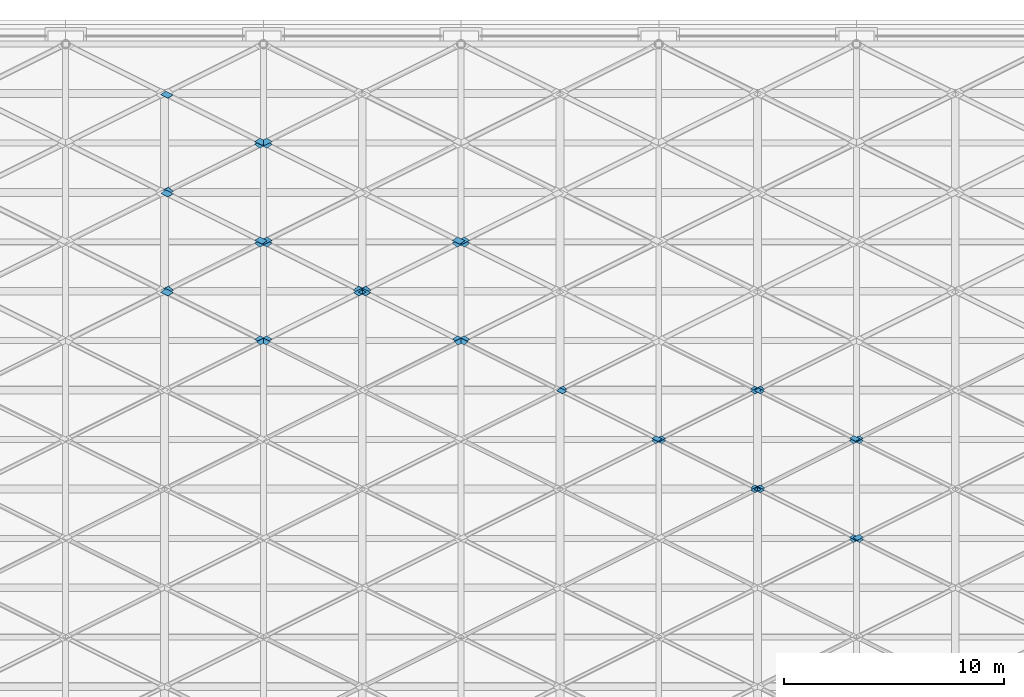
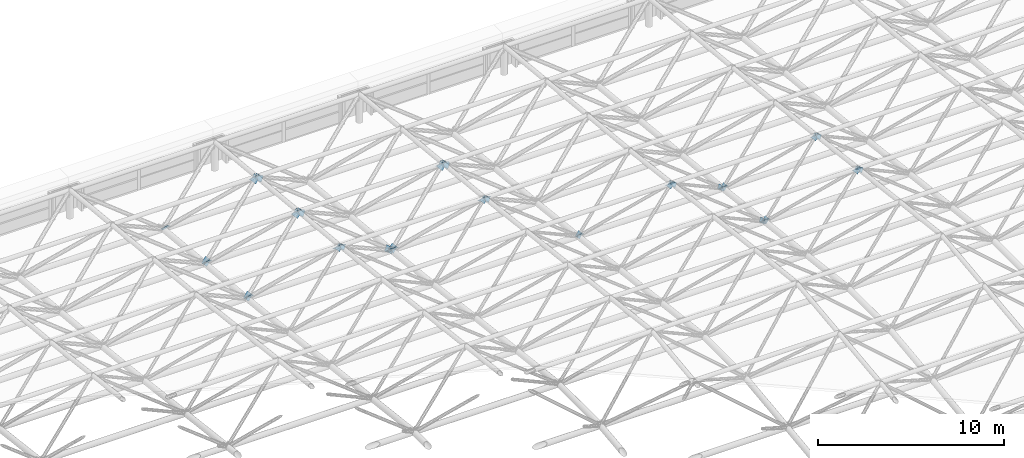
# One storey, part 41 of 53: 51 discrete accessories.
"""IFC4 building model written with IfcOpenShell, lengths in metres."""

from ifc_helpers import new_model, si_unit, direction, frame, origin, place, context, subcontext, project, spatial, polyline, outline, extrude, material, layer, layer_set, type_object, element, save


model = new_model("IFC4")

# Units and contexts
model_context = context("Model", 3, precision=1e-05, world=origin(), true_north=direction((0.0, 1.0)))
body_context = subcontext(model_context, "Body", "Model", "MODEL_VIEW")
ifc_project = project(units=[si_unit("LENGTHUNIT", "METRE"), si_unit("AREAUNIT", "SQUARE_METRE"), si_unit("VOLUMEUNIT", "CUBIC_METRE"), si_unit("PLANEANGLEUNIT", "RADIAN"), si_unit("MASSUNIT", "GRAM", prefix="KILO")], contexts=[model_context])

# Site, building, storey
site_placement = place(None, origin())
site = spatial("IfcSite", under=ifc_project, at=site_placement, CompositionType="ELEMENT")
building_placement = place(site_placement, origin())
building = spatial("IfcBuilding", under=site, at=building_placement, Name="Aravalli Gate Trade Fair Centre", CompositionType="ELEMENT")
storey_placement = place(building_placement, frame((0.0, 0.0, 25.199951171875)))
storey = spatial("IfcBuildingStorey", under=building, at=storey_placement, Name="ROOF LEVEL 2", CompositionType="ELEMENT", Elevation=25.199951171875)

# Discrete accessories
ifc_material = material(Name="Steel E350", Category="steel")
ifc_layer_1 = layer(ifc_material, 0.011962890625)
ifc_layer_set_1 = layer_set([ifc_layer_1], Name="Steel E350")
discrete_accessory_type_1 = type_object("IfcDiscreteAccessoryType", Name="Gusset plate 291 x 291 x 12", PredefinedType="USERDEFINED", material=ifc_layer_set_1)
discrete_accessory_1_placement = place(storey_placement, frame((69.138671875, 86.30859375, 4.027099609375), z_axis=(0.000259688153, -0.77158167438, 0.636130216483), x_axis=(-0.786189750281, 0.392961505637, 0.476955901148)))
element("IfcDiscreteAccessory", 1, at=discrete_accessory_1_placement, inside=storey, type_object=discrete_accessory_type_1, Name="Gusset plate Space frame web diagonal D4C end A", ObjectType="GUSSET PLATE", PredefinedType="USERDEFINED", context=body_context, shape_type="SweptSolid", body=[
    extrude(outline(polyline([(0.0, 0.0), (0.37047009323158403, 1.3877787807814457e-17), (0.3706453255393415, -0.29059138113822636), (7.929444017017173e-05, -0.29046925152010133), (0.0, 0.0)])), origin(), (0.0, 0.0, -1.0), 0.011962890625),
])
discrete_accessory_2_placement = place(storey_placement, frame((68.681884765625, 86.453857421875, 4.203369140625), z_axis=(-0.000259688153, -0.77158167438, 0.636130216483), x_axis=(0.785986034617, 0.393126352276, 0.477155765483)))
element("IfcDiscreteAccessory", 2, at=discrete_accessory_2_placement, inside=storey, type_object=discrete_accessory_type_1, Name="Gusset plate Space frame web diagonal D4D end A", ObjectType="GUSSET PLATE", PredefinedType="USERDEFINED", context=body_context, shape_type="SweptSolid", body=[
    extrude(outline(polyline([(0.0, 0.0), (0.3705660512246577, -1.3877787807814457e-17), (0.3702950470274762, -0.2905913076038385), (-0.0001750260838329909, -0.2904692096111498), (0.0, 0.0)])), origin(), (0.0, 0.0, -1.0), 0.011962890625),
])
discrete_accessory_3_placement = place(storey_placement, frame((64.18603515625, 88.707763671875, 1.047119140625), z_axis=(-0.000356491483, 0.824386555112, 0.566027102411), x_axis=(0.749660046124, 0.374830119882, -0.545446786108)))
element("IfcDiscreteAccessory", 3, at=discrete_accessory_3_placement, inside=storey, type_object=discrete_accessory_type_1, Name="Gusset plate Space frame web diagonal D5A end B", ObjectType="GUSSET PLATE", PredefinedType="USERDEFINED", context=body_context, shape_type="SweptSolid", body=[
    extrude(outline(polyline([(0.0, 0.0), (0.37061069570280314, 0.0), (0.3704262257769532, -0.2905262593825685), (-1.4474536517566916e-06, -0.29068783726431885), (0.0, 0.0)])), origin(), (0.0, 0.0, -1.0), 0.011962890625),
])
discrete_accessory_4_placement = place(storey_placement, frame((69.12158203125, 86.675537109375, 4.005126953125), z_axis=(-5.9235462e-05, 0.824355565608, 0.566072343383), x_axis=(-0.74937131646, -0.374861397834, 0.545821914622)))
element("IfcDiscreteAccessory", 4, at=discrete_accessory_4_placement, inside=storey, type_object=discrete_accessory_type_1, Name="Gusset plate Space frame web diagonal D5A end A", ObjectType="GUSSET PLATE", PredefinedType="USERDEFINED", context=body_context, shape_type="SweptSolid", body=[
    extrude(outline(polyline([(0.0, 0.0), (0.3704277020236978, 0.0), (0.37073891027907924, 0.290526143046557), (-5.001029550574798e-06, 0.29053697785674903), (0.0, 0.0)])), origin(), (0.0, 0.0, -1.0), 0.011962890625),
])
discrete_accessory_5_placement = place(storey_placement, frame((60.12158203125, 91.175537109375, 3.455078125), z_axis=(-5.9235462e-05, 0.824355565608, 0.566072343383), x_axis=(-0.74910175115, -0.37503400761, 0.546073309694)))
element("IfcDiscreteAccessory", 5, at=discrete_accessory_5_placement, inside=storey, type_object=discrete_accessory_type_1, Name="Gusset plate Space frame web diagonal D5A end A", ObjectType="GUSSET PLATE", PredefinedType="USERDEFINED", context=body_context, shape_type="SweptSolid", body=[
    extrude(outline(polyline([(0.0, 0.0), (0.37056099002046733, 1.3877787807814457e-17), (0.3708571273038952, 0.29037522366126584), (0.00024656979283793623, 0.29068772448272373), (0.0, 0.0)])), origin(), (0.0, 0.0, -1.0), 0.011962890625),
])
discrete_accessory_6_placement = place(storey_placement, frame((64.18603515625, 93.207763671875, 0.4970703125), z_axis=(-0.000338926475, 0.824215745649, 0.566275807141), x_axis=(0.749929468437, 0.374811008577, -0.545089442403)))
element("IfcDiscreteAccessory", 6, at=discrete_accessory_6_placement, inside=storey, type_object=discrete_accessory_type_1, Name="Gusset plate Space frame web diagonal D5A end B", ObjectType="GUSSET PLATE", PredefinedType="USERDEFINED", context=body_context, shape_type="SweptSolid", body=[
    extrude(outline(polyline([(0.0, 0.0), (0.3704775800363668, -1.3877787807814457e-17), (0.37054452148215117, -0.29037536695413646), (0.00011695121776518491, -0.29068780553250784), (0.0, 0.0)])), origin(), (0.0, 0.0, -1.0), 0.011962890625),
])
discrete_accessory_7_placement = place(storey_placement, frame((69.12158203125, 91.175537109375, 3.455078125), z_axis=(-5.9235462e-05, 0.824355565608, 0.566072343383), x_axis=(-0.74910175115, -0.37503400761, 0.546073309694)))
element("IfcDiscreteAccessory", 7, at=discrete_accessory_7_placement, inside=storey, type_object=discrete_accessory_type_1, Name="Gusset plate Space frame web diagonal D5A end A", ObjectType="GUSSET PLATE", PredefinedType="USERDEFINED", context=body_context, shape_type="SweptSolid", body=[
    extrude(outline(polyline([(0.0, 0.0), (0.37056099002046733, 1.3877787807814457e-17), (0.3708571273038952, 0.29037522366126584), (0.00024656979283793623, 0.29068772448272373), (0.0, 0.0)])), origin(), (0.0, 0.0, -1.0), 0.011962890625),
])
discrete_accessory_8_placement = place(storey_placement, frame((68.68603515625, 86.55224609375, 4.1845703125), z_axis=(5.9235462e-05, 0.824355565608, 0.566072343383), x_axis=(0.749390667151, -0.374849001628, 0.545803860343)))
element("IfcDiscreteAccessory", 8, at=discrete_accessory_8_placement, inside=storey, type_object=discrete_accessory_type_1, Name="Gusset plate Space frame web diagonal D5B end A", ObjectType="GUSSET PLATE", PredefinedType="USERDEFINED", context=body_context, shape_type="SweptSolid", body=[
    extrude(outline(polyline([(0.0, 0.0), (0.37074391146695085, 0.0), (0.3704411936966931, 0.2905261520174016), (1.3491831181253189e-05, 0.2905369775865267), (0.0, 0.0)])), origin(), (0.0, 0.0, -1.0), 0.011962890625),
])
discrete_accessory_9_placement = place(storey_placement, frame((64.62158203125, 88.58447265625, 1.226806640625), z_axis=(0.000356491483, 0.824386555112, 0.566027102411), x_axis=(-0.749371292409, 0.375015088164, -0.54571636384)))
element("IfcDiscreteAccessory", 9, at=discrete_accessory_9_placement, inside=storey, type_object=discrete_accessory_type_1, Name="Gusset plate Space frame web diagonal D5B end B", ObjectType="GUSSET PLATE", PredefinedType="USERDEFINED", context=body_context, shape_type="SweptSolid", body=[
    extrude(outline(polyline([(0.0, 0.0), (0.3704277084701571, -1.3877787807814457e-17), (0.3707389038272042, -0.29052615127976134), (0.00012824338136119273, -0.2906878089792164), (0.0, 0.0)])), origin(), (0.0, 0.0, -1.0), 0.011962890625),
])
discrete_accessory_10_placement = place(storey_placement, frame((59.68603515625, 91.05224609375, 3.634765625), z_axis=(5.9235462e-05, 0.824355565608, 0.566072343383), x_axis=(0.749660070237, -0.374676343996, 0.545552395598)))
element("IfcDiscreteAccessory", 10, at=discrete_accessory_10_placement, inside=storey, type_object=discrete_accessory_type_1, Name="Gusset plate Space frame web diagonal D5B end A", ObjectType="GUSSET PLATE", PredefinedType="USERDEFINED", context=body_context, shape_type="SweptSolid", body=[
    extrude(outline(polyline([(0.0, 0.0), (0.3706106892622231, 1.3877787807814457e-17), (0.3705593979521325, 0.2903753701380719), (-1.4603348369723879e-06, 0.29068782905287593), (0.0, 0.0)])), origin(), (0.0, 0.0, -1.0), 0.011962890625),
])
discrete_accessory_11_placement = place(storey_placement, frame((55.62158203125, 93.08447265625, 0.6767578125), z_axis=(0.000338926475, 0.824215745649, 0.566275807141), x_axis=(-0.74937124219, 0.375168906268, -0.545610697428)))
element("IfcDiscreteAccessory", 11, at=discrete_accessory_11_placement, inside=storey, type_object=discrete_accessory_type_1, Name="Gusset plate Space frame web diagonal D5B end B", ObjectType="GUSSET PLATE", PredefinedType="USERDEFINED", context=body_context, shape_type="SweptSolid", body=[
    extrude(outline(polyline([(0.0, 0.0), (0.3704277020281311, -2.7755575615628914e-17), (0.37060567875441897, -0.29037532012757467), (0.00012823049953920862, -0.29068780077573153), (0.0, 0.0)])), origin(), (0.0, 0.0, -1.0), 0.011962890625),
])
discrete_accessory_12_placement = place(storey_placement, frame((68.68603515625, 91.05224609375, 3.634765625), z_axis=(5.9235462e-05, 0.824355565608, 0.566072343383), x_axis=(0.749660070237, -0.374676343996, 0.545552395598)))
element("IfcDiscreteAccessory", 12, at=discrete_accessory_12_placement, inside=storey, type_object=discrete_accessory_type_1, Name="Gusset plate Space frame web diagonal D5B end A", ObjectType="GUSSET PLATE", PredefinedType="USERDEFINED", context=body_context, shape_type="SweptSolid", body=[
    extrude(outline(polyline([(0.0, 0.0), (0.3706106892622231, 1.3877787807814457e-17), (0.3705593979521325, 0.2903753701380719), (-1.4603348369723879e-06, 0.29068782905287593), (0.0, 0.0)])), origin(), (0.0, 0.0, -1.0), 0.011962890625),
])
discrete_accessory_13_placement = place(storey_placement, frame((64.62158203125, 93.08447265625, 0.6767578125), z_axis=(0.000338926475, 0.824215745649, 0.566275807141), x_axis=(-0.74937124219, 0.375168906268, -0.545610697428)))
element("IfcDiscreteAccessory", 13, at=discrete_accessory_13_placement, inside=storey, type_object=discrete_accessory_type_1, Name="Gusset plate Space frame web diagonal D5B end B", ObjectType="GUSSET PLATE", PredefinedType="USERDEFINED", context=body_context, shape_type="SweptSolid", body=[
    extrude(outline(polyline([(0.0, 0.0), (0.3704277020281311, -2.7755575615628914e-17), (0.37060567875441897, -0.29037532012757467), (0.00012823049953920862, -0.29068780077573153), (0.0, 0.0)])), origin(), (0.0, 0.0, -1.0), 0.011962890625),
])
discrete_accessory_14_placement = place(storey_placement, frame((60.138916015625, 90.808349609375, 3.477294921875), z_axis=(-6.9765199e-05, -0.771154883137, 0.636647580178), x_axis=(-0.786484474244, 0.393242254842, 0.476238071536)))
element("IfcDiscreteAccessory", 14, at=discrete_accessory_14_placement, inside=storey, type_object=discrete_accessory_type_1, Name="Gusset plate Space frame web diagonal D5C end A", ObjectType="GUSSET PLATE", PredefinedType="USERDEFINED", context=body_context, shape_type="SweptSolid", body=[
    extrude(outline(polyline([(0.0, 0.0), (0.37064165383501635, 1.3877787807814457e-17), (0.3706783195979393, -0.29059144692340316), (0.00022867857401766278, -0.2904406632211646), (0.0, 0.0)])), origin(), (0.0, 0.0, -1.0), 0.011962890625),
])
discrete_accessory_15_placement = place(storey_placement, frame((64.181884765625, 88.786865234375, 1.029052734375), z_axis=(-6.9765199e-05, -0.771154883137, 0.636647580178), x_axis=(0.786233023991, -0.393446013556, -0.476484906794)))
element("IfcDiscreteAccessory", 15, at=discrete_accessory_15_placement, inside=storey, type_object=discrete_accessory_type_1, Name="Gusset plate Space frame web diagonal D5C end B", ObjectType="GUSSET PLATE", PredefinedType="USERDEFINED", context=body_context, shape_type="SweptSolid", body=[
    extrude(outline(polyline([(0.0, 0.0), (0.37044967171058096, 2.7755575615628914e-17), (0.3702947268495056, 0.290591407927876), (-0.0003468962829482891, 0.29044054608337494), (0.0, 0.0)])), origin(), (0.0, 0.0, -1.0), 0.011962890625),
])
for number, where, z_axis, x_axis, name in (
    (16, (69.138916015625, 90.808349609375, 3.477294921875), (-6.9765199e-05, -0.771154883137, 0.636647580178), (-0.786484474244, 0.393242254842, 0.476238071536), "Gusset plate Space frame web diagonal D5C end A"),
    (17, (42.138916015625, 95.308349609375, 2.92724609375), (-6.9765199e-05, -0.771154883137, 0.636647580178), (-0.786484474244, 0.393242254842, 0.476238071536), "Gusset plate Space frame web diagonal D5C end A"),
    (18, (51.138916015625, 95.308349609375, 2.92724609375), (-6.9765199e-05, -0.771154883137, 0.636647580178), (-0.786484474244, 0.393242254842, 0.476238071536), "Gusset plate Space frame web diagonal D5C end A"),
):
    element("IfcDiscreteAccessory", number, at=place(storey_placement, frame(where, z_axis=z_axis, x_axis=x_axis)), inside=storey, type_object=discrete_accessory_type_1, Name=name, ObjectType="GUSSET PLATE", PredefinedType="USERDEFINED", context=body_context, shape_type="SweptSolid", body=[
        extrude(outline(polyline([(0.0, 0.0), (0.37064165383501635, 1.3877787807814457e-17), (0.3706783195979393, -0.29059144692340316), (0.00022867857401766278, -0.2904406632211646), (0.0, 0.0)])), origin(), (0.0, 0.0, -1.0), 0.011962890625),
    ])
discrete_accessory_16_placement = place(storey_placement, frame((64.181884765625, 93.286865234375, 0.479248046875), z_axis=(0.000260921892, -0.770886805608, 0.636972106814), x_axis=(0.786233024012, -0.393446097564, -0.476484837392)))
element("IfcDiscreteAccessory", 19, at=discrete_accessory_16_placement, inside=storey, type_object=discrete_accessory_type_1, Name="Gusset plate Space frame web diagonal D5C end B", ObjectType="GUSSET PLATE", PredefinedType="USERDEFINED", context=body_context, shape_type="SweptSolid", body=[
    extrude(outline(polyline([(0.0, 0.0), (0.3704496717105797, 1.3877787807814457e-17), (0.37041105616888137, 0.29044341854454775), (-0.00023056696357631745, 0.2902925567125407), (0.0, 0.0)])), origin(), (0.0, 0.0, -1.0), 0.011962890625),
])
for number, where, z_axis, x_axis, name in (
    (20, (59.681884765625, 90.953857421875, 3.653564453125), (6.9765199e-05, -0.771154883137, 0.636647580178), (0.786233023991, 0.393446013556, 0.476484906794), "Gusset plate Space frame web diagonal D5D end A"),
    (21, (68.681884765625, 90.953857421875, 3.653564453125), (6.9765199e-05, -0.771154883137, 0.636647580178), (0.786233023991, 0.393446013556, 0.476484906794), "Gusset plate Space frame web diagonal D5D end A"),
):
    element("IfcDiscreteAccessory", number, at=place(storey_placement, frame(where, z_axis=z_axis, x_axis=x_axis)), inside=storey, type_object=discrete_accessory_type_1, Name=name, ObjectType="GUSSET PLATE", PredefinedType="USERDEFINED", context=body_context, shape_type="SweptSolid", body=[
        extrude(outline(polyline([(0.0, 0.0), (0.37044967171058096, -2.7755575615628914e-17), (0.3702947268495056, -0.290591407927876), (-0.0003468962829482891, -0.29044054608337494), (0.0, 0.0)])), origin(), (0.0, 0.0, -1.0), 0.011962890625),
    ])
discrete_accessory_17_placement = place(storey_placement, frame((64.638916015625, 88.932373046875, 1.205322265625), z_axis=(6.9765199e-05, -0.771154883137, 0.636647580178), x_axis=(-0.786484474244, -0.393242254842, -0.476238071536)))
element("IfcDiscreteAccessory", 22, at=discrete_accessory_17_placement, inside=storey, type_object=discrete_accessory_type_1, Name="Gusset plate Space frame web diagonal D5D end B", ObjectType="GUSSET PLATE", PredefinedType="USERDEFINED", context=body_context, shape_type="SweptSolid", body=[
    extrude(outline(polyline([(0.0, 0.0), (0.37064165383501635, -1.3877787807814457e-17), (0.3706783195979393, 0.29059144692340316), (0.00022867857401766278, 0.2904406632211646), (0.0, 0.0)])), origin(), (0.0, 0.0, -1.0), 0.011962890625),
])
for number, where, z_axis, x_axis, name in (
    (23, (41.681884765625, 95.453857421875, 3.103515625), (6.9765199e-05, -0.771154883137, 0.636647580178), (0.786233023991, 0.393446013556, 0.476484906794), "Gusset plate Space frame web diagonal D5D end A"),
    (24, (50.681884765625, 95.453857421875, 3.103515625), (6.9765199e-05, -0.771154883137, 0.636647580178), (0.786233023991, 0.393446013556, 0.476484906794), "Gusset plate Space frame web diagonal D5D end A"),
):
    element("IfcDiscreteAccessory", number, at=place(storey_placement, frame(where, z_axis=z_axis, x_axis=x_axis)), inside=storey, type_object=discrete_accessory_type_1, Name=name, ObjectType="GUSSET PLATE", PredefinedType="USERDEFINED", context=body_context, shape_type="SweptSolid", body=[
        extrude(outline(polyline([(0.0, 0.0), (0.37044967171058096, -2.7755575615628914e-17), (0.3702947268495056, -0.290591407927876), (-0.0003468962829482891, -0.29044054608337494), (0.0, 0.0)])), origin(), (0.0, 0.0, -1.0), 0.011962890625),
    ])
for number, where, z_axis, x_axis, name in (
    (25, (55.638916015625, 93.432373046875, 0.6552734375), (-0.000260921892, -0.770886805608, 0.636972106814), (-0.786484474223, -0.393242170877, -0.476238140902), "Gusset plate Space frame web diagonal D5D end B"),
    (26, (64.638916015625, 93.432373046875, 0.6552734375), (-0.000260921892, -0.770886805608, 0.636972106814), (-0.786484474223, -0.393242170877, -0.476238140902), "Gusset plate Space frame web diagonal D5D end B"),
):
    element("IfcDiscreteAccessory", number, at=place(storey_placement, frame(where, z_axis=z_axis, x_axis=x_axis)), inside=storey, type_object=discrete_accessory_type_1, Name=name, ObjectType="GUSSET PLATE", PredefinedType="USERDEFINED", context=body_context, shape_type="SweptSolid", body=[
        extrude(outline(polyline([(0.0, 0.0), (0.37064165383501513, -1.3877787807814457e-17), (0.37056205053393565, 0.29044341020294784), (0.00011240951001027788, 0.2902926265131968), (0.0, 0.0)])), origin(), (0.0, 0.0, -1.0), 0.011962890625),
    ])
ifc_layer_2 = layer(ifc_material, 0.011962890625)
ifc_layer_set_2 = layer_set([ifc_layer_2], Name="Steel E350")
discrete_accessory_type_2 = type_object("IfcDiscreteAccessoryType", Name="Gusset plate 367 x 367 x 12", PredefinedType="USERDEFINED", material=ifc_layer_set_2)
discrete_accessory_18_placement = place(storey_placement, frame((42.155517578125, 95.721923828125, 2.84228515625), z_axis=(-5.6748583e-05, 0.820281851296, 0.571959510117), x_axis=(-0.752910033129, -0.376455016564, 0.539822287904)))
element("IfcDiscreteAccessory", 27, at=discrete_accessory_18_placement, inside=storey, type_object=discrete_accessory_type_2, Name="Gusset plate Space frame web diagonal D6A end A", ObjectType="GUSSET PLATE", PredefinedType="USERDEFINED", context=body_context, shape_type="SweptSolid", body=[
    extrude(outline(polyline([(0.0, 0.0), (0.44683397278152426, -2.7755575615628914e-17), (0.44699177701993154, 0.3666937395408909), (0.0001578042384072914, 0.3666937395408909), (0.0, 0.0)])), origin(), (0.0, 0.0, -1.0), 0.011962890625),
])
discrete_accessory_19_placement = place(storey_placement, frame((46.103271484375, 97.69580078125, 0.01318359375), z_axis=(-5.6748583e-05, 0.820281851296, 0.571959510117), x_axis=(0.752910033129, 0.376455016564, -0.539822287904)))
element("IfcDiscreteAccessory", 28, at=discrete_accessory_19_placement, inside=storey, type_object=discrete_accessory_type_2, Name="Gusset plate Space frame web diagonal D6A end B", ObjectType="GUSSET PLATE", PredefinedType="USERDEFINED", context=body_context, shape_type="SweptSolid", body=[
    extrude(outline(polyline([(0.0, 0.0), (0.44683397278152426, -2.7755575615628914e-17), (0.446676168543117, -0.36669373954089096), (-0.0001578042384072914, -0.3666937395408909), (0.0, 0.0)])), origin(), (0.0, 0.0, -1.0), 0.011962890625),
])
discrete_accessory_20_placement = place(storey_placement, frame((51.155517578125, 95.721923828125, 2.84228515625), z_axis=(-5.6748583e-05, 0.820281851296, 0.571959510117), x_axis=(-0.752910033129, -0.376455016564, 0.539822287904)))
element("IfcDiscreteAccessory", 29, at=discrete_accessory_20_placement, inside=storey, type_object=discrete_accessory_type_2, Name="Gusset plate Space frame web diagonal D6A end A", ObjectType="GUSSET PLATE", PredefinedType="USERDEFINED", context=body_context, shape_type="SweptSolid", body=[
    extrude(outline(polyline([(0.0, 0.0), (0.44683397278152426, -2.7755575615628914e-17), (0.44699177701993154, 0.3666937395408909), (0.0001578042384072914, 0.3666937395408909), (0.0, 0.0)])), origin(), (0.0, 0.0, -1.0), 0.011962890625),
])
for number, where, z_axis, x_axis, name in (
    (30, (42.155517578125, 100.221923828125, 2.392333984375), (-4.9126691e-05, 0.820140995503, 0.572161467667), (-0.752910034648, -0.376583216139, 0.539732860821), "Gusset plate Space frame web diagonal D6A end A"),
    (31, (51.155517578125, 100.221923828125, 2.392333984375), (-4.9126691e-05, 0.820140995503, 0.572161467667), (-0.752910034648, -0.376583216139, 0.539732860821), "Gusset plate Space frame web diagonal D6A end A"),
):
    element("IfcDiscreteAccessory", number, at=place(storey_placement, frame(where, z_axis=z_axis, x_axis=x_axis)), inside=storey, type_object=discrete_accessory_type_2, Name=name, ObjectType="GUSSET PLATE", PredefinedType="USERDEFINED", context=body_context, shape_type="SweptSolid", body=[
        extrude(outline(polyline([(0.0, 0.0), (0.4468339673229258, 0.0), (0.4468599899280901, 0.36654297340046177), (0.00015779332313807515, 0.366693732894023), (0.0, 0.0)])), origin(), (0.0, 0.0, -1.0), 0.011962890625),
    ])
discrete_accessory_21_placement = place(storey_placement, frame((42.155517578125, 104.721923828125, 1.9423828125), z_axis=(-0.000292195819, 0.820164189793, 0.572128146837), x_axis=(-0.753132087854, -0.376566043927, 0.539434956975)))
element("IfcDiscreteAccessory", 32, at=discrete_accessory_21_placement, inside=storey, type_object=discrete_accessory_type_2, Name="Gusset plate Space frame web diagonal D6A end A", ObjectType="GUSSET PLATE", PredefinedType="USERDEFINED", context=body_context, shape_type="SweptSolid", body=[
    extrude(outline(polyline([(0.0, 0.0), (0.4467022275054028, 2.7755575615628914e-17), (0.4467362528213333, 0.36669377191730207), (3.402531593046931e-05, 0.366693771917302), (0.0, 0.0)])), origin(), (0.0, 0.0, -1.0), 0.011962890625),
])
discrete_accessory_22_placement = place(storey_placement, frame((41.603271484375, 95.56396484375, 3.06884765625), z_axis=(5.6748583e-05, 0.820281851296, 0.571959510117), x_axis=(0.752910033129, -0.376455016564, 0.539822287904)))
element("IfcDiscreteAccessory", 33, at=discrete_accessory_22_placement, inside=storey, type_object=discrete_accessory_type_2, Name="Gusset plate Space frame web diagonal D6B end A", ObjectType="GUSSET PLATE", PredefinedType="USERDEFINED", context=body_context, shape_type="SweptSolid", body=[
    extrude(outline(polyline([(0.0, 0.0), (0.44683397278152426, 2.7755575615628914e-17), (0.446676168543117, 0.36669373954089096), (-0.0001578042384072914, 0.3666937395408909), (0.0, 0.0)])), origin(), (0.0, 0.0, -1.0), 0.011962890625),
])
discrete_accessory_23_placement = place(storey_placement, frame((37.655517578125, 97.537841796875, 0.23974609375), z_axis=(5.6748583e-05, 0.820281851296, 0.571959510117), x_axis=(-0.752910033129, 0.376455016564, -0.539822287904)))
element("IfcDiscreteAccessory", 34, at=discrete_accessory_23_placement, inside=storey, type_object=discrete_accessory_type_2, Name="Gusset plate Space frame web diagonal D6B end B", ObjectType="GUSSET PLATE", PredefinedType="USERDEFINED", context=body_context, shape_type="SweptSolid", body=[
    extrude(outline(polyline([(0.0, 0.0), (0.44683397278152426, 2.7755575615628914e-17), (0.44699177701993154, -0.3666937395408909), (0.0001578042384072914, -0.3666937395408909), (0.0, 0.0)])), origin(), (0.0, 0.0, -1.0), 0.011962890625),
])
discrete_accessory_24_placement = place(storey_placement, frame((50.603271484375, 95.56396484375, 3.06884765625), z_axis=(5.6748583e-05, 0.820281851296, 0.571959510117), x_axis=(0.752910033129, -0.376455016564, 0.539822287904)))
element("IfcDiscreteAccessory", 35, at=discrete_accessory_24_placement, inside=storey, type_object=discrete_accessory_type_2, Name="Gusset plate Space frame web diagonal D6B end A", ObjectType="GUSSET PLATE", PredefinedType="USERDEFINED", context=body_context, shape_type="SweptSolid", body=[
    extrude(outline(polyline([(0.0, 0.0), (0.44683397278152426, 2.7755575615628914e-17), (0.446676168543117, 0.36669373954089096), (-0.0001578042384072914, 0.3666937395408909), (0.0, 0.0)])), origin(), (0.0, 0.0, -1.0), 0.011962890625),
])
discrete_accessory_25_placement = place(storey_placement, frame((46.655517578125, 97.537841796875, 0.23974609375), z_axis=(5.6748583e-05, 0.820281851296, 0.571959510117), x_axis=(-0.752910033129, 0.376455016564, -0.539822287904)))
element("IfcDiscreteAccessory", 36, at=discrete_accessory_25_placement, inside=storey, type_object=discrete_accessory_type_2, Name="Gusset plate Space frame web diagonal D6B end B", ObjectType="GUSSET PLATE", PredefinedType="USERDEFINED", context=body_context, shape_type="SweptSolid", body=[
    extrude(outline(polyline([(0.0, 0.0), (0.44683397278152426, 2.7755575615628914e-17), (0.44699177701993154, -0.3666937395408909), (0.0001578042384072914, -0.3666937395408909), (0.0, 0.0)])), origin(), (0.0, 0.0, -1.0), 0.011962890625),
])
discrete_accessory_26_placement = place(storey_placement, frame((41.603271484375, 100.06396484375, 2.618896484375), z_axis=(4.9126691e-05, 0.820140995503, 0.572161467667), x_axis=(0.753132104741, -0.376437815746, 0.539524423623)))
element("IfcDiscreteAccessory", 37, at=discrete_accessory_26_placement, inside=storey, type_object=discrete_accessory_type_2, Name="Gusset plate Space frame web diagonal D6B end A", ObjectType="GUSSET PLATE", PredefinedType="USERDEFINED", context=body_context, shape_type="SweptSolid", body=[
    extrude(outline(polyline([(0.0, 0.0), (0.4467022220451944, 0.0), (0.44679990563841726, 0.3665429613078707), (-3.4036236763179684e-05, 0.3666937652647241), (0.0, 0.0)])), origin(), (0.0, 0.0, -1.0), 0.011962890625),
])
discrete_accessory_27_placement = place(storey_placement, frame((37.655517578125, 102.037841796875, -0.21044921875), z_axis=(4.9126691e-05, 0.820140995503, 0.572161467667), x_axis=(-0.753132104741, 0.376437815746, -0.539524423623)))
element("IfcDiscreteAccessory", 38, at=discrete_accessory_27_placement, inside=storey, type_object=discrete_accessory_type_2, Name="Gusset plate Space frame web diagonal D6B end B", ObjectType="GUSSET PLATE", PredefinedType="USERDEFINED", context=body_context, shape_type="SweptSolid", body=[
    extrude(outline(polyline([(0.0, 0.0), (0.4467022220451944, 0.0), (0.44673625828195757, -0.3666937652647241), (-9.768359322287479e-05, -0.3665429613078708), (0.0, 0.0)])), origin(), (0.0, 0.0, -1.0), 0.011962890625),
])
discrete_accessory_28_placement = place(storey_placement, frame((50.603271484375, 100.06396484375, 2.618896484375), z_axis=(4.9126691e-05, 0.820140995503, 0.572161467667), x_axis=(0.753132104741, -0.376437815746, 0.539524423623)))
element("IfcDiscreteAccessory", 39, at=discrete_accessory_28_placement, inside=storey, type_object=discrete_accessory_type_2, Name="Gusset plate Space frame web diagonal D6B end A", ObjectType="GUSSET PLATE", PredefinedType="USERDEFINED", context=body_context, shape_type="SweptSolid", body=[
    extrude(outline(polyline([(0.0, 0.0), (0.4467022220451944, 0.0), (0.44679990563841726, 0.3665429613078707), (-3.4036236763179684e-05, 0.3666937652647241), (0.0, 0.0)])), origin(), (0.0, 0.0, -1.0), 0.011962890625),
])
discrete_accessory_29_placement = place(storey_placement, frame((41.603271484375, 104.56396484375, 2.1689453125), z_axis=(0.000292195819, 0.820164189793, 0.572128146837), x_axis=(0.753132087854, -0.376566043927, 0.539434956975)))
element("IfcDiscreteAccessory", 40, at=discrete_accessory_29_placement, inside=storey, type_object=discrete_accessory_type_2, Name="Gusset plate Space frame web diagonal D6B end A", ObjectType="GUSSET PLATE", PredefinedType="USERDEFINED", context=body_context, shape_type="SweptSolid", body=[
    extrude(outline(polyline([(0.0, 0.0), (0.4467022275054028, -2.7755575615628914e-17), (0.4466682021894723, 0.366693771917302), (-3.402531593046931e-05, 0.366693771917302), (0.0, 0.0)])), origin(), (0.0, 0.0, -1.0), 0.011962890625),
])
discrete_accessory_30_placement = place(storey_placement, frame((37.655517578125, 106.537841796875, -0.660400390625), z_axis=(0.000292195819, 0.820164189793, 0.572128146837), x_axis=(-0.753132087854, 0.376566043927, -0.539434956975)))
element("IfcDiscreteAccessory", 41, at=discrete_accessory_30_placement, inside=storey, type_object=discrete_accessory_type_2, Name="Gusset plate Space frame web diagonal D6B end B", ObjectType="GUSSET PLATE", PredefinedType="USERDEFINED", context=body_context, shape_type="SweptSolid", body=[
    extrude(outline(polyline([(0.0, 0.0), (0.4467022275054028, -2.7755575615628914e-17), (0.4467362528213333, -0.36669377191730207), (3.402531593046931e-05, -0.366693771917302), (0.0, 0.0)])), origin(), (0.0, 0.0, -1.0), 0.011962890625),
])
discrete_accessory_31_placement = place(storey_placement, frame((42.173095703125, 99.76123046875, 2.4150390625), z_axis=(-0.000106895173, -0.77673595722, 0.629826358082), x_axis=(-0.783044443413, 0.391795440284, 0.483050445204)))
element("IfcDiscreteAccessory", 42, at=discrete_accessory_31_placement, inside=storey, type_object=discrete_accessory_type_2, Name="Gusset plate Space frame web diagonal D6C end A", ObjectType="GUSSET PLATE", PredefinedType="USERDEFINED", context=body_context, shape_type="SweptSolid", body=[
    extrude(outline(polyline([(0.0, 0.0), (0.4467862821424865, 0.0), (0.4467086389724838, -0.36691841645657763), (-7.764317000273635e-05, -0.36691841645657763), (0.0, 0.0)])), origin(), (0.0, 0.0, -1.0), 0.011962890625),
])
discrete_accessory_32_placement = place(storey_placement, frame((46.0986328125, 97.798583984375, -0.005615234375), z_axis=(-0.000106895173, -0.77673595722, 0.629826358082), x_axis=(0.783044443413, -0.391795440284, -0.483050445204)))
element("IfcDiscreteAccessory", 43, at=discrete_accessory_32_placement, inside=storey, type_object=discrete_accessory_type_2, Name="Gusset plate Space frame web diagonal D6C end B", ObjectType="GUSSET PLATE", PredefinedType="USERDEFINED", context=body_context, shape_type="SweptSolid", body=[
    extrude(outline(polyline([(0.0, 0.0), (0.4467862821424865, 0.0), (0.4468639253124893, 0.3669184164565776), (7.764317000273635e-05, 0.36691841645657763), (0.0, 0.0)])), origin(), (0.0, 0.0, -1.0), 0.011962890625),
])
for number, where, z_axis, x_axis, name in (
    (44, (51.173095703125, 99.76123046875, 2.4150390625), (-0.000106895173, -0.77673595722, 0.629826358082), (-0.783044443413, 0.391795440284, 0.483050445204), "Gusset plate Space frame web diagonal D6C end A"),
    (45, (42.173095703125, 104.26123046875, 1.965087890625), (-0.000106895173, -0.77673595722, 0.629826358082), (-0.783044443413, 0.391795440284, 0.483050445204), "Gusset plate Space frame web diagonal D6C end A"),
):
    element("IfcDiscreteAccessory", number, at=place(storey_placement, frame(where, z_axis=z_axis, x_axis=x_axis)), inside=storey, type_object=discrete_accessory_type_2, Name=name, ObjectType="GUSSET PLATE", PredefinedType="USERDEFINED", context=body_context, shape_type="SweptSolid", body=[
        extrude(outline(polyline([(0.0, 0.0), (0.4467862821424865, 0.0), (0.4467086389724838, -0.36691841645657763), (-7.764317000273635e-05, -0.36691841645657763), (0.0, 0.0)])), origin(), (0.0, 0.0, -1.0), 0.011962890625),
    ])
discrete_accessory_33_placement = place(storey_placement, frame((41.5986328125, 99.942138671875, 2.63818359375), z_axis=(0.000106895173, -0.77673595722, 0.629826358082), x_axis=(0.783044443413, 0.391795440284, 0.483050445204)))
element("IfcDiscreteAccessory", 46, at=discrete_accessory_33_placement, inside=storey, type_object=discrete_accessory_type_2, Name="Gusset plate Space frame web diagonal D6D end A", ObjectType="GUSSET PLATE", PredefinedType="USERDEFINED", context=body_context, shape_type="SweptSolid", body=[
    extrude(outline(polyline([(0.0, 0.0), (0.4467862821424865, 0.0), (0.4468639253124893, -0.3669184164565776), (7.764317000273635e-05, -0.36691841645657763), (0.0, 0.0)])), origin(), (0.0, 0.0, -1.0), 0.011962890625),
])
discrete_accessory_34_placement = place(storey_placement, frame((37.673095703125, 97.9794921875, 0.217529296875), z_axis=(0.000106895173, -0.77673595722, 0.629826358082), x_axis=(-0.783044443413, -0.391795440284, -0.483050445204)))
element("IfcDiscreteAccessory", 47, at=discrete_accessory_34_placement, inside=storey, type_object=discrete_accessory_type_2, Name="Gusset plate Space frame web diagonal D6D end B", ObjectType="GUSSET PLATE", PredefinedType="USERDEFINED", context=body_context, shape_type="SweptSolid", body=[
    extrude(outline(polyline([(0.0, 0.0), (0.4467862821424865, 0.0), (0.4467086389724838, 0.36691841645657763), (-7.764317000273635e-05, 0.36691841645657763), (0.0, 0.0)])), origin(), (0.0, 0.0, -1.0), 0.011962890625),
])
discrete_accessory_35_placement = place(storey_placement, frame((50.5986328125, 99.942138671875, 2.63818359375), z_axis=(0.000106895173, -0.77673595722, 0.629826358082), x_axis=(0.783044443413, 0.391795440284, 0.483050445204)))
element("IfcDiscreteAccessory", 48, at=discrete_accessory_35_placement, inside=storey, type_object=discrete_accessory_type_2, Name="Gusset plate Space frame web diagonal D6D end A", ObjectType="GUSSET PLATE", PredefinedType="USERDEFINED", context=body_context, shape_type="SweptSolid", body=[
    extrude(outline(polyline([(0.0, 0.0), (0.4467862821424865, 0.0), (0.4468639253124893, -0.3669184164565776), (7.764317000273635e-05, -0.36691841645657763), (0.0, 0.0)])), origin(), (0.0, 0.0, -1.0), 0.011962890625),
])
discrete_accessory_36_placement = place(storey_placement, frame((46.673095703125, 97.9794921875, 0.217529296875), z_axis=(0.000106895173, -0.77673595722, 0.629826358082), x_axis=(-0.783044443413, -0.391795440284, -0.483050445204)))
element("IfcDiscreteAccessory", 49, at=discrete_accessory_36_placement, inside=storey, type_object=discrete_accessory_type_2, Name="Gusset plate Space frame web diagonal D6D end B", ObjectType="GUSSET PLATE", PredefinedType="USERDEFINED", context=body_context, shape_type="SweptSolid", body=[
    extrude(outline(polyline([(0.0, 0.0), (0.4467862821424865, 0.0), (0.4467086389724838, 0.36691841645657763), (-7.764317000273635e-05, 0.36691841645657763), (0.0, 0.0)])), origin(), (0.0, 0.0, -1.0), 0.011962890625),
])
discrete_accessory_37_placement = place(storey_placement, frame((41.5986328125, 104.442138671875, 2.188232421875), z_axis=(0.000106895173, -0.77673595722, 0.629826358082), x_axis=(0.783044443413, 0.391795440284, 0.483050445204)))
element("IfcDiscreteAccessory", 50, at=discrete_accessory_37_placement, inside=storey, type_object=discrete_accessory_type_2, Name="Gusset plate Space frame web diagonal D6D end A", ObjectType="GUSSET PLATE", PredefinedType="USERDEFINED", context=body_context, shape_type="SweptSolid", body=[
    extrude(outline(polyline([(0.0, 0.0), (0.4467862821424865, 0.0), (0.4468639253124893, -0.3669184164565776), (7.764317000273635e-05, -0.36691841645657763), (0.0, 0.0)])), origin(), (0.0, 0.0, -1.0), 0.011962890625),
])
discrete_accessory_38_placement = place(storey_placement, frame((37.673095703125, 102.4794921875, -0.232421875), z_axis=(0.000106895173, -0.77673595722, 0.629826358082), x_axis=(-0.783044443413, -0.391795440284, -0.483050445204)))
element("IfcDiscreteAccessory", 51, at=discrete_accessory_38_placement, inside=storey, type_object=discrete_accessory_type_2, Name="Gusset plate Space frame web diagonal D6D end B", ObjectType="GUSSET PLATE", PredefinedType="USERDEFINED", context=body_context, shape_type="SweptSolid", body=[
    extrude(outline(polyline([(0.0, 0.0), (0.4467862821424865, 0.0), (0.4467086389724838, 0.36691841645657763), (-7.764317000273635e-05, 0.36691841645657763), (0.0, 0.0)])), origin(), (0.0, 0.0, -1.0), 0.011962890625),
])

save(model, "model.ifc")
